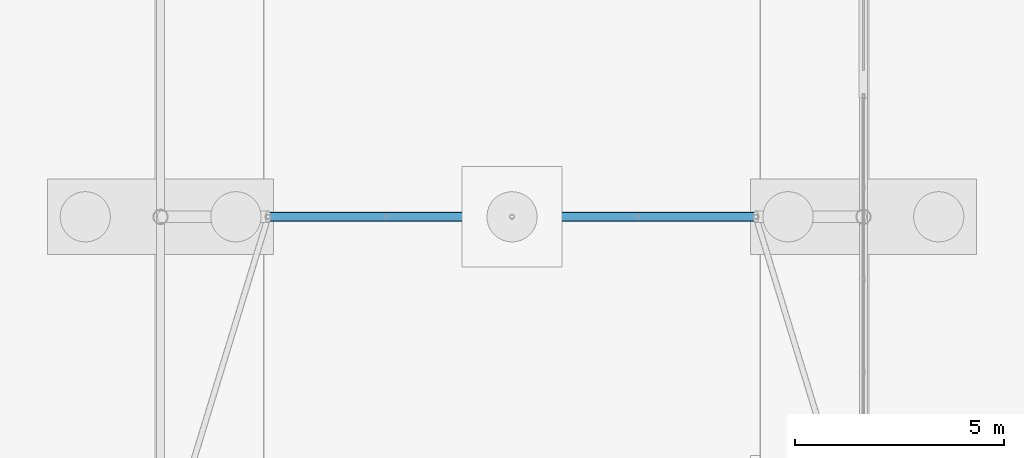
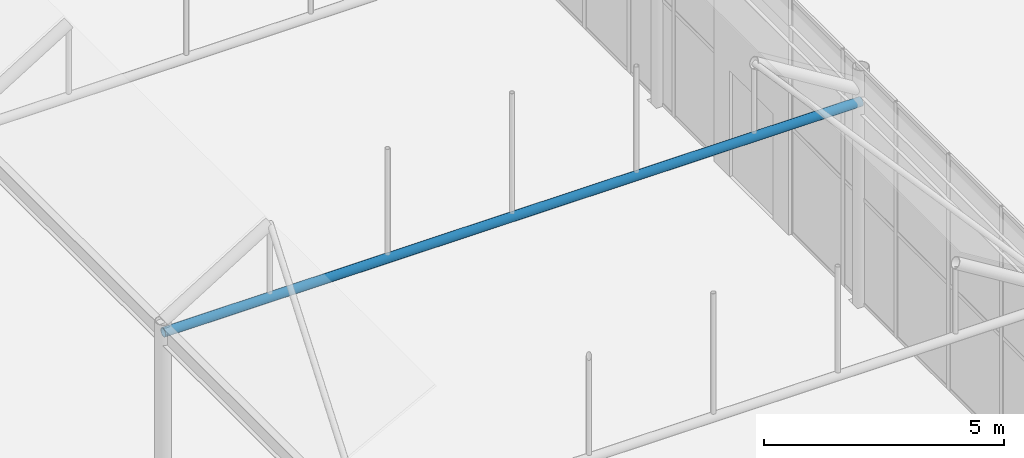
# One storey, part 87 of 212: 1 beam.
"""IFC4 building model written with IfcOpenShell, lengths in metres."""

from ifc_helpers import new_model, si_unit, direction, frame, origin, origin_2d, place, context, subcontext, project, spatial, hollow_circle, extrude, material, material_profile, profile_set, type_object, element, save


model = new_model("IFC4")

# Units and contexts
model_context = context("Model", 3, precision=1e-05, world=origin(), true_north=direction((0.0, 1.0)))
body_context = subcontext(model_context, "Body", "Model", "MODEL_VIEW")
ifc_project = project(units=[si_unit("LENGTHUNIT", "METRE"), si_unit("AREAUNIT", "SQUARE_METRE"), si_unit("VOLUMEUNIT", "CUBIC_METRE"), si_unit("PLANEANGLEUNIT", "RADIAN"), si_unit("MASSUNIT", "GRAM", prefix="KILO")], contexts=[model_context])

# Site, building, storey
site_placement = place(None, origin())
site = spatial("IfcSite", under=ifc_project, at=site_placement, CompositionType="ELEMENT")
building_placement = place(site_placement, origin())
building = spatial("IfcBuilding", under=site, at=building_placement, Name="Catenary Quay Ferry Terminal", CompositionType="ELEMENT")
storey_placement = place(building_placement, origin())
storey = spatial("IfcBuildingStorey", under=building, at=storey_placement, Name="L00", CompositionType="ELEMENT", Elevation=0.0)

# Beam
ifc_material = material(Name="Steel S355", Category="steel")
ifc_material_profile = material_profile(ifc_material, hollow_circle(Radius=0.109619140625, WallThickness=0.010009765625, at=origin_2d()), Name="CHS 219.1x10")
ifc_profile_set = profile_set([ifc_material_profile], Name="Steel S355")
beam_type = type_object("IfcBeamType", Name="TB2 CHS 219.1x10", PredefinedType="BEAM", material=ifc_profile_set)
beam_placement = place(storey_placement, frame((8.39990234375, 75.60009765625, 5.10009765625), z_axis=(1.0, 0.0, 0.0), x_axis=(0.0, 1.0, 0.0)))
element("IfcBeam", 1, at=beam_placement, inside=storey, type_object=beam_type, Name="tie beam FC-02", PredefinedType="BEAM", context=body_context, shape_type="SweptSolid", body=[
    extrude(hollow_circle(Radius=0.109619140625, WallThickness=0.010009765625, at=origin_2d()), origin(), (0.0, 0.0, 1.0), 16.800048828125),
])

save(model, "model.ifc")
